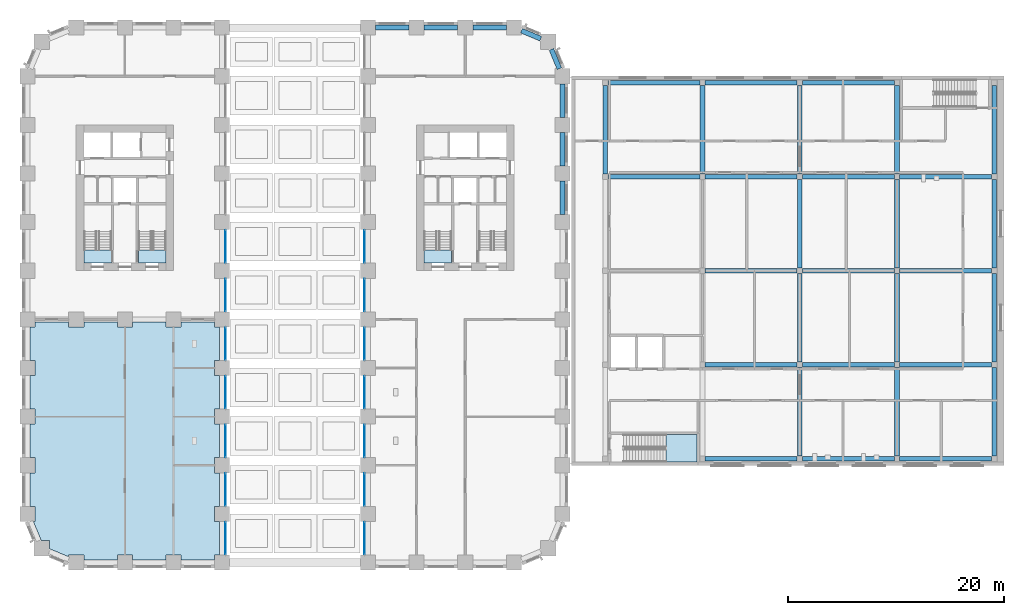
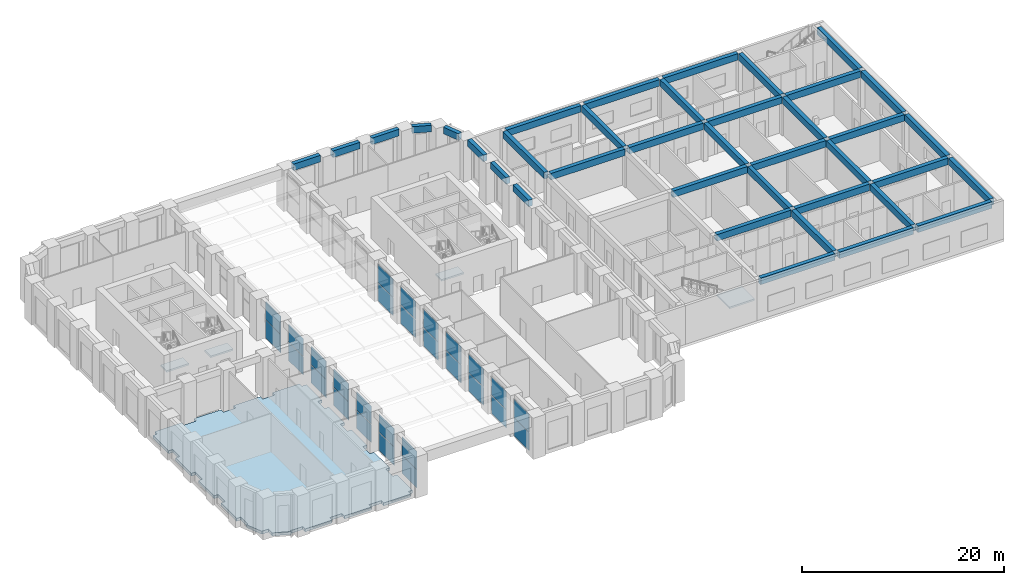
# One storey, part 6 of 24: 38 beams, 28 plates, 5 slabs, 18 elements without a shape of their own.
"""IFC4 building model written with IfcOpenShell, lengths in metres."""

from ifc_helpers import new_model, si_unit, direction, frame, origin, origin_2d, place, context, subcontext, project, spatial, polyline, rectangle, outline, extrude, material, layer, layer_set, material_profile, profile_set, type_object, element, aggregate, save


model = new_model("IFC4")

# Units and contexts
model_context = context("Model", 3, precision=1e-05, world=origin(), true_north=direction((0.0, 1.0)))
body_context = subcontext(model_context, "Body", "Model", "MODEL_VIEW")
ifc_project = project(units=[si_unit("LENGTHUNIT", "METRE"), si_unit("AREAUNIT", "SQUARE_METRE"), si_unit("VOLUMEUNIT", "CUBIC_METRE"), si_unit("PLANEANGLEUNIT", "RADIAN"), si_unit("MASSUNIT", "GRAM", prefix="KILO")], contexts=[model_context])

# Site, building, storey
site_placement = place(None, origin())
site = spatial("IfcSite", under=ifc_project, at=site_placement, CompositionType="ELEMENT")
building_placement = place(site_placement, origin())
building = spatial("IfcBuilding", under=site, at=building_placement, Name="Girih Gate Residences", CompositionType="ELEMENT")
storey_placement = place(building_placement, frame((0.0, 0.0, 16.0)))
storey = spatial("IfcBuildingStorey", under=building, at=storey_placement, Name="L03", CompositionType="ELEMENT", Elevation=16.0)

# Beams
ifc_material_1 = material(Name="Concrete C40/50", Category="concrete")
ifc_material_profile_1 = material_profile(ifc_material_1, rectangle(XDim=0.449951171875, YDim=0.800048828125, at=origin_2d()))
ifc_profile_set_1 = profile_set([ifc_material_profile_1], Name="Concrete C40/50")
beam_type_1 = type_object("IfcBeamType", Name="HC Beam 450x800 C40/50", PredefinedType="BEAM", material=ifc_profile_set_1)
for number, where, z_axis, x_axis, name in (
    (1, (62.699951171875, 9.60009765625, 4.300048828125), (1.0, 0.0, 0.0), (0.0, 1.0, 0.0), "L03 beam HA.2"),
    (2, (71.699951171875, 9.60009765625, 4.300048828125), (1.0, 0.0, 0.0), (0.0, 1.0, 0.0), "L03 beam HA.3"),
    (3, (80.699951171875, 9.60009765625, 4.300048828125), (1.0, 0.0, 0.0), (0.0, 1.0, 0.0), "L03 beam HA.4"),
    (4, (62.699951171875, 18.300048828125, 4.300048828125), (1.0, 0.0, 0.0), (0.0, 1.0, 0.0), "L03 beam HB.2"),
    (5, (71.699951171875, 18.300048828125, 4.300048828125), (1.0, 0.0, 0.0), (0.0, 1.0, 0.0), "L03 beam HB.3"),
    (6, (80.699951171875, 18.300048828125, 4.300048828125), (1.0, 0.0, 0.0), (0.0, 1.0, 0.0), "L03 beam HB.4"),
    (7, (62.699951171875, 27.0, 4.300048828125), (1.0, 0.0, 0.0), (0.0, 1.0, 0.0), "L03 beam HC.2"),
    (8, (71.699951171875, 27.0, 4.300048828125), (1.0, 0.0, 0.0), (0.0, 1.0, 0.0), "L03 beam HC.3"),
    (9, (80.699951171875, 27.0, 4.300048828125), (1.0, 0.0, 0.0), (0.0, 1.0, 0.0), "L03 beam HC.4"),
    (10, (53.699951171875, 35.699951171875, 4.300048828125), (1.0, 0.0, 0.0), (0.0, 1.0, 0.0), "L03 beam HD.1"),
    (11, (62.699951171875, 35.699951171875, 4.300048828125), (1.0, 0.0, 0.0), (0.0, 1.0, 0.0), "L03 beam HD.2"),
    (12, (71.699951171875, 35.699951171875, 4.300048828125), (1.0, 0.0, 0.0), (0.0, 1.0, 0.0), "L03 beam HD.3"),
    (13, (80.699951171875, 35.699951171875, 4.300048828125), (1.0, 0.0, 0.0), (0.0, 1.0, 0.0), "L03 beam HD.4"),
    (14, (53.699951171875, 44.39990234375, 4.300048828125), (1.0, 0.0, 0.0), (0.0, 1.0, 0.0), "L03 beam HE.1"),
    (15, (62.699951171875, 44.39990234375, 4.300048828125), (1.0, 0.0, 0.0), (0.0, 1.0, 0.0), "L03 beam HE.2"),
    (16, (71.699951171875, 44.39990234375, 4.300048828125), (1.0, 0.0, 0.0), (0.0, 1.0, 0.0), "L03 beam HE.3"),
):
    element("IfcBeam", number, at=place(storey_placement, frame(where, z_axis=z_axis, x_axis=x_axis)), inside=storey, type_object=beam_type_1, Name=name, PredefinedType="BEAM", context=body_context, shape_type="SweptSolid", body=[
        extrude(rectangle(XDim=0.449951171875, YDim=0.800048828125, at=origin_2d()), origin(), (0.0, 0.0, 1.0), 8.5),
    ])
for number, where, z_axis, x_axis, name in (
    (17, (53.449951171875, 35.949951171875, 4.300048828125), (0.0, 1.0, 0.0), (-1.0, 0.0, 0.0), "L03 beam H1.4"),
    (18, (62.449951171875, 35.949951171875, 4.300048828125), (0.0, 1.0, 0.0), (-1.0, 0.0, 0.0), "L03 beam H2.4"),
    (19, (71.449951171875, 9.85009765625, 4.300048828125), (0.0, 1.0, 0.0), (-1.0, 0.0, 0.0), "L03 beam H3.1"),
    (20, (71.449951171875, 18.550048828125, 4.300048828125), (0.0, 1.0, 0.0), (-1.0, 0.0, 0.0), "L03 beam H3.2"),
    (21, (71.449951171875, 27.25, 4.300048828125), (0.0, 1.0, 0.0), (-1.0, 0.0, 0.0), "L03 beam H3.3"),
    (22, (71.449951171875, 35.949951171875, 4.300048828125), (0.0, 1.0, 0.0), (-1.0, 0.0, 0.0), "L03 beam H3.4"),
    (23, (80.449951171875, 9.85009765625, 4.300048828125), (0.0, 1.0, 0.0), (-1.0, 0.0, 0.0), "L03 beam H4.1"),
    (24, (80.449951171875, 18.550048828125, 4.300048828125), (0.0, 1.0, 0.0), (-1.0, 0.0, 0.0), "L03 beam H4.2"),
    (25, (80.449951171875, 27.25, 4.300048828125), (0.0, 1.0, 0.0), (-1.0, 0.0, 0.0), "L03 beam H4.3"),
    (26, (80.449951171875, 35.949951171875, 4.300048828125), (0.0, 1.0, 0.0), (-1.0, 0.0, 0.0), "L03 beam H4.4"),
    (27, (89.449951171875, 9.85009765625, 4.300048828125), (0.0, 1.0, 0.0), (-1.0, 0.0, 0.0), "L03 beam H5.1"),
    (28, (89.449951171875, 18.550048828125, 4.300048828125), (0.0, 1.0, 0.0), (-1.0, 0.0, 0.0), "L03 beam H5.2"),
    (29, (89.449951171875, 27.25, 4.300048828125), (0.0, 1.0, 0.0), (-1.0, 0.0, 0.0), "L03 beam H5.3"),
    (30, (89.449951171875, 35.949951171875, 4.300048828125), (0.0, 1.0, 0.0), (-1.0, 0.0, 0.0), "L03 beam H5.4"),
):
    element("IfcBeam", number, at=place(storey_placement, frame(where, z_axis=z_axis, x_axis=x_axis)), inside=storey, type_object=beam_type_1, Name=name, PredefinedType="BEAM", context=body_context, shape_type="SweptSolid", body=[
        extrude(rectangle(XDim=0.449951171875, YDim=0.800048828125, at=origin_2d()), origin(), (0.0, 0.0, 1.0), 8.199951171875),
    ])
ifc_material_2 = material(Name="Concrete C60/75", Category="concrete")
ifc_material_profile_2 = material_profile(ifc_material_2, rectangle(XDim=0.449951171875, YDim=0.800048828125, at=origin_2d()))
ifc_profile_set_2 = profile_set([ifc_material_profile_2], Name="Concrete C60/75")
beam_type_2 = type_object("IfcBeamType", Name="Spandrel girder RC 450x800 Concrete C60/75", PredefinedType="BEAM", material=ifc_profile_set_2)
for number, where, z_axis, x_axis, name in (
    (31, (49.5, 32.199951171875, 4.60009765625), (0.0, 1.0, 0.0), (-1.0, 0.0, 0.0), "Spandrel girder SP-P12H-P12I L03"),
    (32, (49.5, 36.699951171875, 4.60009765625), (0.0, 1.0, 0.0), (-1.0, 0.0, 0.0), "Spandrel girder SP-P12I-P12J L03"),
    (33, (49.5, 41.199951171875, 4.60009765625), (0.0, 1.0, 0.0), (-1.0, 0.0, 0.0), "Spandrel girder SP-P12J-P12K L03"),
):
    element("IfcBeam", number, at=place(storey_placement, frame(where, z_axis=z_axis, x_axis=x_axis)), inside=storey, type_object=beam_type_2, Name=name, PredefinedType="BEAM", context=body_context, shape_type="SweptSolid", body=[
        extrude(rectangle(XDim=0.449951171875, YDim=0.800048828125, at=origin_2d()), origin(), (0.0, 0.0, 1.0), 3.10009765625),
    ])
for number, where, z_axis, x_axis, name in (
    (34, (49.2099609375, 45.699951171875, 4.60009765625), (-0.382646180293, 0.923894961945, 0.0), (-0.923894961945, -0.382646180293, 0.0), "Spandrel girder SP-P12K-P12LSW L03"),
    (35, (47.48193359375, 48.471923828125, 4.60009765625), (-0.923894961945, 0.382646180293, 0.0), (-0.382646180293, -0.923894961945, 0.0), "Spandrel girder SP-P12LSW-P11L L03"),
):
    element("IfcBeam", number, at=place(storey_placement, frame(where, z_axis=z_axis, x_axis=x_axis)), inside=storey, type_object=beam_type_2, Name=name, PredefinedType="BEAM", context=body_context, shape_type="SweptSolid", body=[
        extrude(rectangle(XDim=0.449951171875, YDim=0.800048828125, at=origin_2d()), origin(), (0.0, 0.0, 1.0), 1.9287109375),
    ])
for number, where, z_axis, x_axis, name in (
    (36, (44.300048828125, 49.5, 4.60009765625), (-1.0, 0.0, 0.0), (0.0, -1.0, 0.0), "Spandrel girder SP-P11L-P10L L03"),
    (37, (39.800048828125, 49.5, 4.60009765625), (-1.0, 0.0, 0.0), (0.0, -1.0, 0.0), "Spandrel girder SP-P10L-P9L L03"),
    (38, (35.300048828125, 49.5, 4.60009765625), (-1.0, 0.0, 0.0), (0.0, -1.0, 0.0), "Spandrel girder SP-P9L-P8L L03"),
):
    element("IfcBeam", number, at=place(storey_placement, frame(where, z_axis=z_axis, x_axis=x_axis)), inside=storey, type_object=beam_type_2, Name=name, PredefinedType="BEAM", context=body_context, shape_type="SweptSolid", body=[
        extrude(rectangle(XDim=0.449951171875, YDim=0.800048828125, at=origin_2d()), origin(), (0.0, 0.0, 1.0), 3.10009765625),
    ])

# Curtain wall, plates
ifc_material_3 = material(Name="Aluminium curtain wall frame", Category="aluminium")
curtain_wall_type = type_object("IfcCurtainWallType", Name="Curtain wall CW-2 podium amenity glazing", PredefinedType="NOTDEFINED", material=ifc_material_3)
curtain_wall_1_placement = place(storey_placement, origin())
curtain_wall_1 = element("IfcCurtainWall", 39, at=curtain_wall_1_placement, inside=storey, type_object=curtain_wall_type, Name="CW-2 Podium amenity glazing E0180_0000.0", PredefinedType="NOTDEFINED")
ifc_material_4 = material(Name="Double glazed unit")
ifc_layer_1 = layer(ifc_material_4, 0.028076171875)
ifc_layer_set_1 = layer_set([ifc_layer_1], Name="Curtain wall glass panel 28")
plate_type = type_object("IfcPlateType", Name="Curtain wall glass panel 28", PredefinedType="CURTAIN_PANEL", material=ifc_layer_set_1)
plate_1_placement = place(storey_placement, frame((18.31494140625, 2.25, 0.06005859375), z_axis=(0.0, 0.0, 1.0), x_axis=(0.0, 1.0, 0.0)))
plate_1 = element("IfcPlate", 40, at=plate_1_placement, type_object=plate_type, Name="CW-2 panel 1.1", PredefinedType="CURTAIN_PANEL", context=body_context, shape_type="SweptSolid", body=[
    extrude(rectangle(XDim=2.97998046875, YDim=0.028076171875, at=origin_2d()), origin(), (0.0, 0.0, 1.0), 2.18505859375),
])
plate_2_placement = place(storey_placement, frame((18.31494140625, 2.25, 2.304931640625), z_axis=(0.0, 0.0, 1.0), x_axis=(0.0, 1.0, 0.0)))
plate_2 = element("IfcPlate", 41, at=plate_2_placement, type_object=plate_type, Name="CW-2 panel 1.2", PredefinedType="CURTAIN_PANEL", context=body_context, shape_type="SweptSolid", body=[
    extrude(rectangle(XDim=2.97998046875, YDim=0.028076171875, at=origin_2d()), origin(), (0.0, 0.0, 1.0), 2.18505859375),
])
aggregate(curtain_wall_1, [plate_1, plate_2])

curtain_wall_2_placement = place(storey_placement, origin())
curtain_wall_2 = element("IfcCurtainWall", 42, at=curtain_wall_2_placement, inside=storey, type_object=curtain_wall_type, Name="CW-2 Podium amenity glazing E0180_0000.1", PredefinedType="NOTDEFINED")
plate_3_placement = place(storey_placement, frame((18.31494140625, 6.75, 0.06005859375), z_axis=(0.0, 0.0, 1.0), x_axis=(0.0, 1.0, 0.0)))
plate_3 = element("IfcPlate", 43, at=plate_3_placement, type_object=plate_type, Name="CW-2 panel 1.1", PredefinedType="CURTAIN_PANEL", context=body_context, shape_type="SweptSolid", body=[
    extrude(rectangle(XDim=2.97998046875, YDim=0.028076171875, at=origin_2d()), origin(), (0.0, 0.0, 1.0), 2.18505859375),
])
plate_4_placement = place(storey_placement, frame((18.31494140625, 6.75, 2.304931640625), z_axis=(0.0, 0.0, 1.0), x_axis=(0.0, 1.0, 0.0)))
plate_4 = element("IfcPlate", 44, at=plate_4_placement, type_object=plate_type, Name="CW-2 panel 1.2", PredefinedType="CURTAIN_PANEL", context=body_context, shape_type="SweptSolid", body=[
    extrude(rectangle(XDim=2.97998046875, YDim=0.028076171875, at=origin_2d()), origin(), (0.0, 0.0, 1.0), 2.18505859375),
])
aggregate(curtain_wall_2, [plate_3, plate_4])

curtain_wall_3_placement = place(storey_placement, origin())
curtain_wall_3 = element("IfcCurtainWall", 45, at=curtain_wall_3_placement, inside=storey, type_object=curtain_wall_type, Name="CW-2 Podium amenity glazing E0180_0000.2", PredefinedType="NOTDEFINED")
plate_5_placement = place(storey_placement, frame((18.31494140625, 11.25, 0.06005859375), z_axis=(0.0, 0.0, 1.0), x_axis=(0.0, 1.0, 0.0)))
plate_5 = element("IfcPlate", 46, at=plate_5_placement, type_object=plate_type, Name="CW-2 panel 1.1", PredefinedType="CURTAIN_PANEL", context=body_context, shape_type="SweptSolid", body=[
    extrude(rectangle(XDim=2.97998046875, YDim=0.028076171875, at=origin_2d()), origin(), (0.0, 0.0, 1.0), 2.18505859375),
])
plate_6_placement = place(storey_placement, frame((18.31494140625, 11.25, 2.304931640625), z_axis=(0.0, 0.0, 1.0), x_axis=(0.0, 1.0, 0.0)))
plate_6 = element("IfcPlate", 47, at=plate_6_placement, type_object=plate_type, Name="CW-2 panel 1.2", PredefinedType="CURTAIN_PANEL", context=body_context, shape_type="SweptSolid", body=[
    extrude(rectangle(XDim=2.97998046875, YDim=0.028076171875, at=origin_2d()), origin(), (0.0, 0.0, 1.0), 2.18505859375),
])
aggregate(curtain_wall_3, [plate_5, plate_6])

curtain_wall_4_placement = place(storey_placement, origin())
curtain_wall_4 = element("IfcCurtainWall", 48, at=curtain_wall_4_placement, inside=storey, type_object=curtain_wall_type, Name="CW-2 Podium amenity glazing E0180_0000.3", PredefinedType="NOTDEFINED")
plate_7_placement = place(storey_placement, frame((18.31494140625, 15.75, 0.06005859375), z_axis=(0.0, 0.0, 1.0), x_axis=(0.0, 1.0, 0.0)))
plate_7 = element("IfcPlate", 49, at=plate_7_placement, type_object=plate_type, Name="CW-2 panel 1.1", PredefinedType="CURTAIN_PANEL", context=body_context, shape_type="SweptSolid", body=[
    extrude(rectangle(XDim=2.97998046875, YDim=0.028076171875, at=origin_2d()), origin(), (0.0, 0.0, 1.0), 2.18505859375),
])
plate_8_placement = place(storey_placement, frame((18.31494140625, 15.75, 2.304931640625), z_axis=(0.0, 0.0, 1.0), x_axis=(0.0, 1.0, 0.0)))
plate_8 = element("IfcPlate", 50, at=plate_8_placement, type_object=plate_type, Name="CW-2 panel 1.2", PredefinedType="CURTAIN_PANEL", context=body_context, shape_type="SweptSolid", body=[
    extrude(rectangle(XDim=2.97998046875, YDim=0.028076171875, at=origin_2d()), origin(), (0.0, 0.0, 1.0), 2.18505859375),
])
aggregate(curtain_wall_4, [plate_7, plate_8])

curtain_wall_5_placement = place(storey_placement, origin())
curtain_wall_5 = element("IfcCurtainWall", 51, at=curtain_wall_5_placement, inside=storey, type_object=curtain_wall_type, Name="CW-2 Podium amenity glazing E0180_0000.4", PredefinedType="NOTDEFINED")
plate_9_placement = place(storey_placement, frame((18.31494140625, 20.25, 0.06005859375), z_axis=(0.0, 0.0, 1.0), x_axis=(0.0, 1.0, 0.0)))
plate_9 = element("IfcPlate", 52, at=plate_9_placement, type_object=plate_type, Name="CW-2 panel 1.1", PredefinedType="CURTAIN_PANEL", context=body_context, shape_type="SweptSolid", body=[
    extrude(rectangle(XDim=2.97998046875, YDim=0.028076171875, at=origin_2d()), origin(), (0.0, 0.0, 1.0), 2.18505859375),
])
plate_10_placement = place(storey_placement, frame((18.31494140625, 20.25, 2.304931640625), z_axis=(0.0, 0.0, 1.0), x_axis=(0.0, 1.0, 0.0)))
plate_10 = element("IfcPlate", 53, at=plate_10_placement, type_object=plate_type, Name="CW-2 panel 1.2", PredefinedType="CURTAIN_PANEL", context=body_context, shape_type="SweptSolid", body=[
    extrude(rectangle(XDim=2.97998046875, YDim=0.028076171875, at=origin_2d()), origin(), (0.0, 0.0, 1.0), 2.18505859375),
])
aggregate(curtain_wall_5, [plate_9, plate_10])

curtain_wall_6_placement = place(storey_placement, origin())
curtain_wall_6 = element("IfcCurtainWall", 54, at=curtain_wall_6_placement, inside=storey, type_object=curtain_wall_type, Name="CW-2 Podium amenity glazing E0180_0000.5", PredefinedType="NOTDEFINED")
plate_11_placement = place(storey_placement, frame((18.31494140625, 24.75, 0.06005859375), z_axis=(0.0, 0.0, 1.0), x_axis=(0.0, 1.0, 0.0)))
plate_11 = element("IfcPlate", 55, at=plate_11_placement, type_object=plate_type, Name="CW-2 panel 1.1", PredefinedType="CURTAIN_PANEL", context=body_context, shape_type="SweptSolid", body=[
    extrude(rectangle(XDim=2.97998046875, YDim=0.028076171875, at=origin_2d()), origin(), (0.0, 0.0, 1.0), 2.18505859375),
])
plate_12_placement = place(storey_placement, frame((18.31494140625, 24.75, 2.304931640625), z_axis=(0.0, 0.0, 1.0), x_axis=(0.0, 1.0, 0.0)))
plate_12 = element("IfcPlate", 56, at=plate_12_placement, type_object=plate_type, Name="CW-2 panel 1.2", PredefinedType="CURTAIN_PANEL", context=body_context, shape_type="SweptSolid", body=[
    extrude(rectangle(XDim=2.97998046875, YDim=0.028076171875, at=origin_2d()), origin(), (0.0, 0.0, 1.0), 2.18505859375),
])
aggregate(curtain_wall_6, [plate_11, plate_12])

curtain_wall_7_placement = place(storey_placement, origin())
curtain_wall_7 = element("IfcCurtainWall", 57, at=curtain_wall_7_placement, inside=storey, type_object=curtain_wall_type, Name="CW-2 Podium amenity glazing E0180_0000.6", PredefinedType="NOTDEFINED")
plate_13_placement = place(storey_placement, frame((18.31494140625, 29.25, 0.06005859375), z_axis=(0.0, 0.0, 1.0), x_axis=(0.0, 1.0, 0.0)))
plate_13 = element("IfcPlate", 58, at=plate_13_placement, type_object=plate_type, Name="CW-2 panel 1.1", PredefinedType="CURTAIN_PANEL", context=body_context, shape_type="SweptSolid", body=[
    extrude(rectangle(XDim=2.97998046875, YDim=0.028076171875, at=origin_2d()), origin(), (0.0, 0.0, 1.0), 2.18505859375),
])
plate_14_placement = place(storey_placement, frame((18.31494140625, 29.25, 2.304931640625), z_axis=(0.0, 0.0, 1.0), x_axis=(0.0, 1.0, 0.0)))
plate_14 = element("IfcPlate", 59, at=plate_14_placement, type_object=plate_type, Name="CW-2 panel 1.2", PredefinedType="CURTAIN_PANEL", context=body_context, shape_type="SweptSolid", body=[
    extrude(rectangle(XDim=2.97998046875, YDim=0.028076171875, at=origin_2d()), origin(), (0.0, 0.0, 1.0), 2.18505859375),
])
aggregate(curtain_wall_7, [plate_13, plate_14])

curtain_wall_8_placement = place(storey_placement, origin())
curtain_wall_8 = element("IfcCurtainWall", 60, at=curtain_wall_8_placement, inside=storey, type_object=curtain_wall_type, Name="CW-2 Podium amenity glazing W0315_0495.4", PredefinedType="NOTDEFINED")
plate_15_placement = place(storey_placement, frame((31.18505859375, 29.25, 0.06005859375), z_axis=(0.0, 0.0, 1.0), x_axis=(0.0, -1.0, 0.0)))
plate_15 = element("IfcPlate", 61, at=plate_15_placement, type_object=plate_type, Name="CW-2 panel 1.1", PredefinedType="CURTAIN_PANEL", context=body_context, shape_type="SweptSolid", body=[
    extrude(rectangle(XDim=2.97998046875, YDim=0.028076171875, at=origin_2d()), origin(), (0.0, 0.0, 1.0), 2.18505859375),
])
plate_16_placement = place(storey_placement, frame((31.18505859375, 29.25, 2.304931640625), z_axis=(0.0, 0.0, 1.0), x_axis=(0.0, -1.0, 0.0)))
plate_16 = element("IfcPlate", 62, at=plate_16_placement, type_object=plate_type, Name="CW-2 panel 1.2", PredefinedType="CURTAIN_PANEL", context=body_context, shape_type="SweptSolid", body=[
    extrude(rectangle(XDim=2.97998046875, YDim=0.028076171875, at=origin_2d()), origin(), (0.0, 0.0, 1.0), 2.18505859375),
])
aggregate(curtain_wall_8, [plate_15, plate_16])

curtain_wall_9_placement = place(storey_placement, origin())
curtain_wall_9 = element("IfcCurtainWall", 63, at=curtain_wall_9_placement, inside=storey, type_object=curtain_wall_type, Name="CW-2 Podium amenity glazing W0315_0495.5", PredefinedType="NOTDEFINED")
plate_17_placement = place(storey_placement, frame((31.18505859375, 24.75, 0.06005859375), z_axis=(0.0, 0.0, 1.0), x_axis=(0.0, -1.0, 0.0)))
plate_17 = element("IfcPlate", 64, at=plate_17_placement, type_object=plate_type, Name="CW-2 panel 1.1", PredefinedType="CURTAIN_PANEL", context=body_context, shape_type="SweptSolid", body=[
    extrude(rectangle(XDim=2.97998046875, YDim=0.028076171875, at=origin_2d()), origin(), (0.0, 0.0, 1.0), 2.18505859375),
])
plate_18_placement = place(storey_placement, frame((31.18505859375, 24.75, 2.304931640625), z_axis=(0.0, 0.0, 1.0), x_axis=(0.0, -1.0, 0.0)))
plate_18 = element("IfcPlate", 65, at=plate_18_placement, type_object=plate_type, Name="CW-2 panel 1.2", PredefinedType="CURTAIN_PANEL", context=body_context, shape_type="SweptSolid", body=[
    extrude(rectangle(XDim=2.97998046875, YDim=0.028076171875, at=origin_2d()), origin(), (0.0, 0.0, 1.0), 2.18505859375),
])
aggregate(curtain_wall_9, [plate_17, plate_18])

curtain_wall_10_placement = place(storey_placement, origin())
curtain_wall_10 = element("IfcCurtainWall", 66, at=curtain_wall_10_placement, inside=storey, type_object=curtain_wall_type, Name="CW-2 Podium amenity glazing W0315_0495.6", PredefinedType="NOTDEFINED")
plate_19_placement = place(storey_placement, frame((31.18505859375, 20.25, 0.06005859375), z_axis=(0.0, 0.0, 1.0), x_axis=(0.0, -1.0, 0.0)))
plate_19 = element("IfcPlate", 67, at=plate_19_placement, type_object=plate_type, Name="CW-2 panel 1.1", PredefinedType="CURTAIN_PANEL", context=body_context, shape_type="SweptSolid", body=[
    extrude(rectangle(XDim=2.97998046875, YDim=0.028076171875, at=origin_2d()), origin(), (0.0, 0.0, 1.0), 2.18505859375),
])
plate_20_placement = place(storey_placement, frame((31.18505859375, 20.25, 2.304931640625), z_axis=(0.0, 0.0, 1.0), x_axis=(0.0, -1.0, 0.0)))
plate_20 = element("IfcPlate", 68, at=plate_20_placement, type_object=plate_type, Name="CW-2 panel 1.2", PredefinedType="CURTAIN_PANEL", context=body_context, shape_type="SweptSolid", body=[
    extrude(rectangle(XDim=2.97998046875, YDim=0.028076171875, at=origin_2d()), origin(), (0.0, 0.0, 1.0), 2.18505859375),
])
aggregate(curtain_wall_10, [plate_19, plate_20])

curtain_wall_11_placement = place(storey_placement, origin())
curtain_wall_11 = element("IfcCurtainWall", 69, at=curtain_wall_11_placement, inside=storey, type_object=curtain_wall_type, Name="CW-2 Podium amenity glazing W0315_0495.7", PredefinedType="NOTDEFINED")
plate_21_placement = place(storey_placement, frame((31.18505859375, 15.75, 0.06005859375), z_axis=(0.0, 0.0, 1.0), x_axis=(0.0, -1.0, 0.0)))
plate_21 = element("IfcPlate", 70, at=plate_21_placement, type_object=plate_type, Name="CW-2 panel 1.1", PredefinedType="CURTAIN_PANEL", context=body_context, shape_type="SweptSolid", body=[
    extrude(rectangle(XDim=2.97998046875, YDim=0.028076171875, at=origin_2d()), origin(), (0.0, 0.0, 1.0), 2.18505859375),
])
plate_22_placement = place(storey_placement, frame((31.18505859375, 15.75, 2.304931640625), z_axis=(0.0, 0.0, 1.0), x_axis=(0.0, -1.0, 0.0)))
plate_22 = element("IfcPlate", 71, at=plate_22_placement, type_object=plate_type, Name="CW-2 panel 1.2", PredefinedType="CURTAIN_PANEL", context=body_context, shape_type="SweptSolid", body=[
    extrude(rectangle(XDim=2.97998046875, YDim=0.028076171875, at=origin_2d()), origin(), (0.0, 0.0, 1.0), 2.18505859375),
])
aggregate(curtain_wall_11, [plate_21, plate_22])

curtain_wall_12_placement = place(storey_placement, origin())
curtain_wall_12 = element("IfcCurtainWall", 72, at=curtain_wall_12_placement, inside=storey, type_object=curtain_wall_type, Name="CW-2 Podium amenity glazing W0315_0495.8", PredefinedType="NOTDEFINED")
plate_23_placement = place(storey_placement, frame((31.18505859375, 11.25, 0.06005859375), z_axis=(0.0, 0.0, 1.0), x_axis=(0.0, -1.0, 0.0)))
plate_23 = element("IfcPlate", 73, at=plate_23_placement, type_object=plate_type, Name="CW-2 panel 1.1", PredefinedType="CURTAIN_PANEL", context=body_context, shape_type="SweptSolid", body=[
    extrude(rectangle(XDim=2.97998046875, YDim=0.028076171875, at=origin_2d()), origin(), (0.0, 0.0, 1.0), 2.18505859375),
])
plate_24_placement = place(storey_placement, frame((31.18505859375, 11.25, 2.304931640625), z_axis=(0.0, 0.0, 1.0), x_axis=(0.0, -1.0, 0.0)))
plate_24 = element("IfcPlate", 74, at=plate_24_placement, type_object=plate_type, Name="CW-2 panel 1.2", PredefinedType="CURTAIN_PANEL", context=body_context, shape_type="SweptSolid", body=[
    extrude(rectangle(XDim=2.97998046875, YDim=0.028076171875, at=origin_2d()), origin(), (0.0, 0.0, 1.0), 2.18505859375),
])
aggregate(curtain_wall_12, [plate_23, plate_24])

curtain_wall_13_placement = place(storey_placement, origin())
curtain_wall_13 = element("IfcCurtainWall", 75, at=curtain_wall_13_placement, inside=storey, type_object=curtain_wall_type, Name="CW-2 Podium amenity glazing W0315_0495.9", PredefinedType="NOTDEFINED")
plate_25_placement = place(storey_placement, frame((31.18505859375, 6.75, 0.06005859375), z_axis=(0.0, 0.0, 1.0), x_axis=(0.0, -1.0, 0.0)))
plate_25 = element("IfcPlate", 76, at=plate_25_placement, type_object=plate_type, Name="CW-2 panel 1.1", PredefinedType="CURTAIN_PANEL", context=body_context, shape_type="SweptSolid", body=[
    extrude(rectangle(XDim=2.97998046875, YDim=0.028076171875, at=origin_2d()), origin(), (0.0, 0.0, 1.0), 2.18505859375),
])
plate_26_placement = place(storey_placement, frame((31.18505859375, 6.75, 2.304931640625), z_axis=(0.0, 0.0, 1.0), x_axis=(0.0, -1.0, 0.0)))
plate_26 = element("IfcPlate", 77, at=plate_26_placement, type_object=plate_type, Name="CW-2 panel 1.2", PredefinedType="CURTAIN_PANEL", context=body_context, shape_type="SweptSolid", body=[
    extrude(rectangle(XDim=2.97998046875, YDim=0.028076171875, at=origin_2d()), origin(), (0.0, 0.0, 1.0), 2.18505859375),
])
aggregate(curtain_wall_13, [plate_25, plate_26])

curtain_wall_14_placement = place(storey_placement, origin())
curtain_wall_14 = element("IfcCurtainWall", 78, at=curtain_wall_14_placement, inside=storey, type_object=curtain_wall_type, Name="CW-2 Podium amenity glazing W0315_0495.10", PredefinedType="NOTDEFINED")
plate_27_placement = place(storey_placement, frame((31.18505859375, 2.25, 0.06005859375), z_axis=(0.0, 0.0, 1.0), x_axis=(0.0, -1.0, 0.0)))
plate_27 = element("IfcPlate", 79, at=plate_27_placement, type_object=plate_type, Name="CW-2 panel 1.1", PredefinedType="CURTAIN_PANEL", context=body_context, shape_type="SweptSolid", body=[
    extrude(rectangle(XDim=2.97998046875, YDim=0.028076171875, at=origin_2d()), origin(), (0.0, 0.0, 1.0), 2.18505859375),
])
plate_28_placement = place(storey_placement, frame((31.18505859375, 2.25, 2.304931640625), z_axis=(0.0, 0.0, 1.0), x_axis=(0.0, -1.0, 0.0)))
plate_28 = element("IfcPlate", 80, at=plate_28_placement, type_object=plate_type, Name="CW-2 panel 1.2", PredefinedType="CURTAIN_PANEL", context=body_context, shape_type="SweptSolid", body=[
    extrude(rectangle(XDim=2.97998046875, YDim=0.028076171875, at=origin_2d()), origin(), (0.0, 0.0, 1.0), 2.18505859375),
])
aggregate(curtain_wall_14, [plate_27, plate_28])

# Slab
ifc_layer_2 = layer(ifc_material_1, 0.35009765625)
ifc_layer_set_2 = layer_set([ifc_layer_2], Name="Floor slab PT 350 Concrete C40/50")
slab_type_1 = type_object("IfcSlabType", Name="Floor slab PT 350 Concrete C40/50", PredefinedType="FLOOR", material=ifc_layer_set_2)
slab_1_placement = place(storey_placement, frame((0.0, 0.0, -0.35009765625)))
element("IfcSlab", 81, at=slab_1_placement, inside=storey, type_object=slab_type_1, Name="Floor slab L03 0", PredefinedType="FLOOR", context=body_context, shape_type="SweptSolid", body=[
    extrude(outline(polyline([(14.199951171875, 0.22509765625), (17.300048828125, 0.22509765625), (17.300048828125, 0.699951171875), (17.77490234375, 0.699951171875), (17.77490234375, 3.800048828125), (17.300048828125, 3.800048828125), (17.300048828125, 5.199951171875), (17.77490234375, 5.199951171875), (17.77490234375, 8.300048828125), (17.300048828125, 8.300048828125), (17.300048828125, 9.699951171875), (17.77490234375, 9.699951171875), (17.77490234375, 12.800048828125), (17.300048828125, 12.800048828125), (17.300048828125, 14.199951171875), (17.77490234375, 14.199951171875), (17.77490234375, 17.300048828125), (17.300048828125, 17.300048828125), (17.300048828125, 18.699951171875), (17.77490234375, 18.699951171875), (17.77490234375, 21.800048828125), (17.300048828125, 21.800048828125), (17.300048828125, 22.27490234375), (14.199951171875, 22.27490234375), (14.199951171875, 21.800048828125), (12.800048828125, 21.800048828125), (12.800048828125, 22.27490234375), (9.699951171875, 22.27490234375), (9.699951171875, 21.800048828125), (8.300048828125, 21.800048828125), (8.300048828125, 22.27490234375), (5.199951171875, 22.27490234375), (5.199951171875, 21.800048828125), (3.800048828125, 21.800048828125), (3.800048828125, 22.27490234375), (0.699951171875, 22.27490234375), (0.699951171875, 21.800048828125), (0.22509765625, 21.800048828125), (0.22509765625, 18.699951171875), (0.699951171875, 18.699951171875), (0.699951171875, 17.300048828125), (0.22509765625, 17.300048828125), (0.22509765625, 14.199951171875), (0.699951171875, 14.199951171875), (0.699951171875, 12.800048828125), (0.22509765625, 12.800048828125), (0.22509765625, 9.699951171875), (0.699951171875, 9.699951171875), (0.699951171875, 8.300048828125), (0.22509765625, 8.300048828125), (0.22509765625, 5.199951171875), (0.699951171875, 5.199951171875), (0.699951171875, 3.800048828125), (0.533447265625, 3.800048828125), (1.271728515625, 2.01806640625), (2.01806640625, 2.01806640625), (2.01806640625, 1.271728515625), (3.800048828125, 0.533447265625), (3.800048828125, 0.699951171875), (5.199951171875, 0.699951171875), (5.199951171875, 0.22509765625), (8.300048828125, 0.22509765625), (8.300048828125, 0.699951171875), (9.699951171875, 0.699951171875), (9.699951171875, 0.22509765625), (12.800048828125, 0.22509765625), (12.800048828125, 0.699951171875), (14.199951171875, 0.699951171875), (14.199951171875, 0.22509765625)])), origin(), (0.0, 0.0, 1.0), 0.35009765625),
])

# Stair, slab
stair_type_1 = type_object("IfcStairType", Name="HC Stair", PredefinedType="HALF_TURN_STAIR", material=ifc_material_1)
stair_1_placement = place(storey_placement, origin())
stair_1 = element("IfcStair", 82, at=stair_1_placement, inside=storey, type_object=stair_type_1, Name="L03 stair A", PredefinedType="HALF_TURN_STAIR")
ifc_layer_3 = layer(ifc_material_1, 0.199951171875)
ifc_layer_set_3 = layer_set([ifc_layer_3], Name="HC Stair landing 200")
slab_type_2 = type_object("IfcSlabType", Name="HC Stair landing 200", PredefinedType="LANDING", material=ifc_layer_set_3)
slab_2_placement = place(storey_placement, frame((0.0, 0.0, 2.300048828125)))
slab_2 = element("IfcSlab", 83, at=slab_2_placement, type_object=slab_type_2, Name="HC-STA landing 1", PredefinedType="LANDING", context=body_context, shape_type="SweptSolid", body=[
    extrude(outline(polyline([(59.070068359375, 9.300048828125), (61.949951171875, 9.300048828125), (61.949951171875, 11.85009765625), (59.070068359375, 11.85009765625), (59.070068359375, 9.300048828125)])), origin(), (0.0, 0.0, 1.0), 0.199951171875),
])
aggregate(stair_1, [slab_2])

stair_type_2 = type_object("IfcStairType", Name="Exit stair", PredefinedType="HALF_TURN_STAIR", material=ifc_material_1)
stair_2_placement = place(storey_placement, origin())
stair_2 = element("IfcStair", 84, at=stair_2_placement, inside=storey, type_object=stair_type_2, Name="L03 Exit Stair ST-W1", PredefinedType="HALF_TURN_STAIR")
ifc_layer_4 = layer(ifc_material_1, 0.199951171875)
ifc_layer_set_4 = layer_set([ifc_layer_4], Name="Stair landing 200")
slab_type_3 = type_object("IfcSlabType", Name="Stair landing 200", PredefinedType="LANDING", material=ifc_layer_set_4)
slab_3_placement = place(storey_placement, frame((0.0, 0.0, 2.300048828125)))
slab_3 = element("IfcSlab", 85, at=slab_3_placement, type_object=slab_type_3, Name="ST-W1 landing 2", PredefinedType="LANDING", context=body_context, shape_type="SweptSolid", body=[
    extrude(outline(polyline([(7.75, 27.699951171875), (7.75, 28.89990234375), (5.199951171875, 28.89990234375), (5.199951171875, 27.699951171875), (7.75, 27.699951171875)])), origin(), (0.0, 0.0, 1.0), 0.199951171875),
])
aggregate(stair_2, [slab_3])

stair_3_placement = place(storey_placement, origin())
stair_3 = element("IfcStair", 86, at=stair_3_placement, inside=storey, type_object=stair_type_2, Name="L03 Exit Stair ST-W2", PredefinedType="HALF_TURN_STAIR")
slab_4_placement = place(storey_placement, frame((0.0, 0.0, 2.300048828125)))
slab_4 = element("IfcSlab", 87, at=slab_4_placement, type_object=slab_type_3, Name="ST-W2 landing 2", PredefinedType="LANDING", context=body_context, shape_type="SweptSolid", body=[
    extrude(outline(polyline([(12.800048828125, 27.699951171875), (12.800048828125, 28.89990234375), (10.25, 28.89990234375), (10.25, 27.699951171875), (12.800048828125, 27.699951171875)])), origin(), (0.0, 0.0, 1.0), 0.199951171875),
])
aggregate(stair_3, [slab_4])

stair_4_placement = place(storey_placement, origin())
stair_4 = element("IfcStair", 88, at=stair_4_placement, inside=storey, type_object=stair_type_2, Name="L03 Exit Stair ST-E2", PredefinedType="HALF_TURN_STAIR")
slab_5_placement = place(storey_placement, frame((0.0, 0.0, 2.300048828125)))
slab_5 = element("IfcSlab", 89, at=slab_5_placement, type_object=slab_type_3, Name="ST-E2 landing 2", PredefinedType="LANDING", context=body_context, shape_type="SweptSolid", body=[
    extrude(outline(polyline([(39.25, 27.699951171875), (39.25, 28.89990234375), (36.699951171875, 28.89990234375), (36.699951171875, 27.699951171875), (39.25, 27.699951171875)])), origin(), (0.0, 0.0, 1.0), 0.199951171875),
])
aggregate(stair_4, [slab_5])

save(model, "model.ifc")
